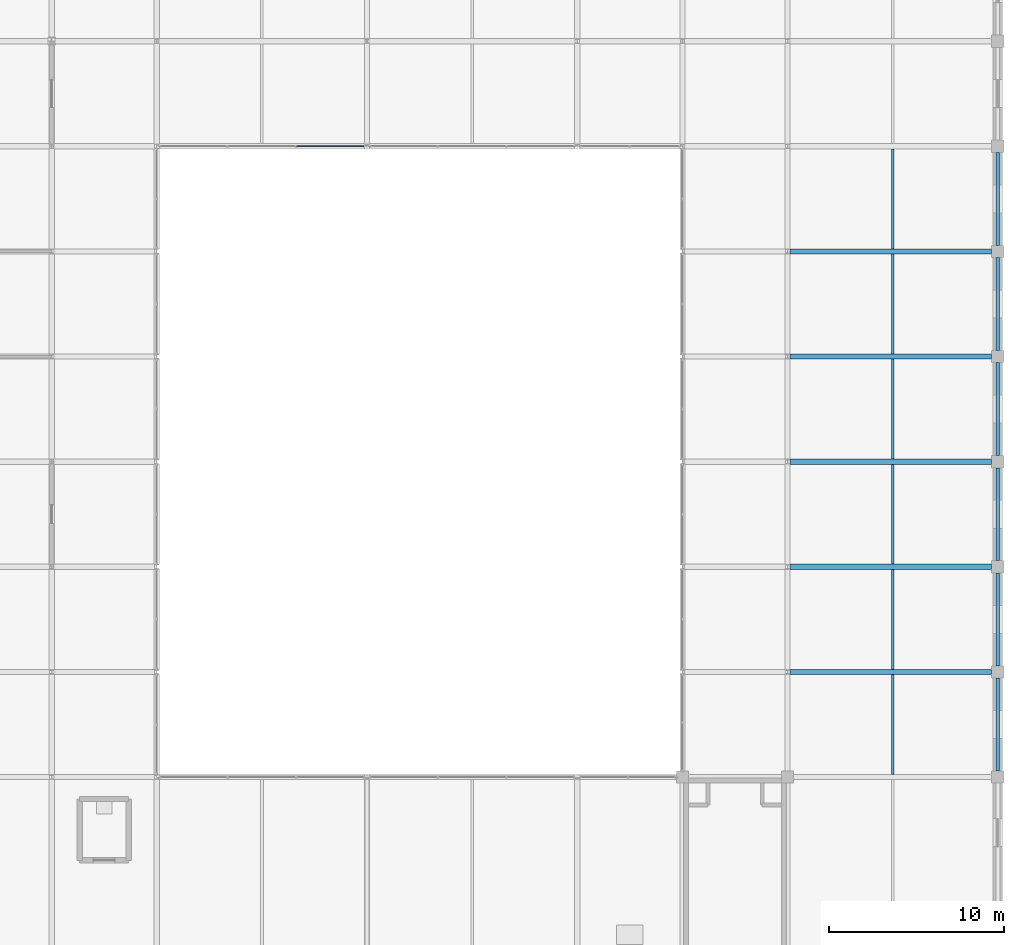
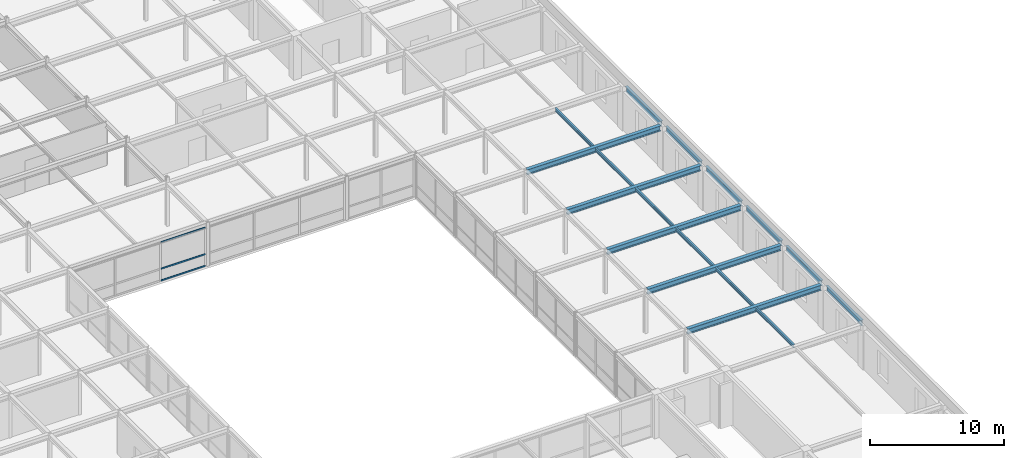
# One storey, part 91 of 111: 17 beams, 3 members, 1 element without a shape of its own.
"""IFC4 building model written with IfcOpenShell, lengths in metres."""

from ifc_helpers import new_model, si_unit, direction, frame, origin, origin_2d, place, context, subcontext, project, spatial, hollow_rectangle, i_section, extrude, material, layer, layer_set, material_profile, profile_set, type_object, element, aggregate, save


model = new_model("IFC4")

# Units and contexts
model_context = context("Model", 3, precision=1e-05, world=origin(), true_north=direction((0.0, 1.0)))
body_context = subcontext(model_context, "Body", "Model", "MODEL_VIEW")
ifc_project = project(units=[si_unit("LENGTHUNIT", "METRE"), si_unit("AREAUNIT", "SQUARE_METRE"), si_unit("VOLUMEUNIT", "CUBIC_METRE"), si_unit("PLANEANGLEUNIT", "RADIAN"), si_unit("MASSUNIT", "GRAM", prefix="KILO")], contexts=[model_context])

# Site, building, storey
site_placement = place(None, origin())
site = spatial("IfcSite", under=ifc_project, at=site_placement, CompositionType="ELEMENT")
building_placement = place(site_placement, origin())
building = spatial("IfcBuilding", under=site, at=building_placement, Name="Zlatovratsky Civic Hall", CompositionType="ELEMENT")
storey_placement = place(building_placement, frame((0.0, 0.0, 16.5)))
storey = spatial("IfcBuildingStorey", under=building, at=storey_placement, Name="L04", CompositionType="ELEMENT", Elevation=16.5)

# Beams
ifc_material_1 = material(Name="Steel S355", Category="steel")
ifc_material_profile_1 = material_profile(ifc_material_1, i_section(OverallWidth=0.300048828125, OverallDepth=0.487060546875, WebThickness=0.014404296875, FlangeThickness=0.017578125, FilletRadius=0.02392578125, at=origin_2d()), Name="50Sh2")
ifc_profile_set_1 = profile_set([ifc_material_profile_1], Name="Steel S355")
beam_type_1 = type_object("IfcBeamType", Name="Beam_ArchiveGirder_50Sh2", PredefinedType="BEAM", material=ifc_profile_set_1)
for number, where, z_axis, x_axis, name in (
    (1, (156.125, 36.0, 3.756591796875), (1.0, 0.0, 0.0), (0.0, 1.0, 0.0), "BM-3289"),
    (2, (156.125, 42.0, 3.756591796875), (1.0, 0.0, 0.0), (0.0, 1.0, 0.0), "BM-3299"),
    (3, (156.125, 48.0, 3.756591796875), (1.0, 0.0, 0.0), (0.0, 1.0, 0.0), "BM-3309"),
    (4, (156.125, 54.0, 3.756591796875), (1.0, 0.0, 0.0), (0.0, 1.0, 0.0), "BM-3319"),
    (5, (156.125, 60.0, 3.756591796875), (1.0, 0.0, 0.0), (0.0, 1.0, 0.0), "BM-3329"),
):
    element("IfcBeam", number, at=place(storey_placement, frame(where, z_axis=z_axis, x_axis=x_axis)), inside=storey, type_object=beam_type_1, Name=name, PredefinedType="BEAM", context=body_context, shape_type="SweptSolid", body=[
        extrude(i_section(OverallWidth=0.300048828125, OverallDepth=0.487060546875, WebThickness=0.014404296875, FlangeThickness=0.017578125, FilletRadius=0.02392578125, at=origin_2d()), origin(), (0.0, 0.0, 1.0), 11.52490234375),
    ])
ifc_material_profile_2 = material_profile(ifc_material_1, i_section(OverallWidth=0.198974609375, OverallDepth=0.491943359375, WebThickness=0.0087890625, FlangeThickness=0.011962890625, FilletRadius=0.01611328125, at=origin_2d()), Name="50B1")
ifc_profile_set_2 = profile_set([ifc_material_profile_2], Name="Steel S355")
beam_type_2 = type_object("IfcBeamType", Name="Beam_Spandrel_50B1", PredefinedType="SPANDREL", material=ifc_profile_set_2)
for number, where, z_axis, x_axis, name in (
    (6, (168.0, 30.35009765625, 3.75390625), (0.0, 1.0, 0.0), (-1.0, 0.0, 0.0), "BM-3815"),
    (7, (168.0, 36.35009765625, 3.75390625), (0.0, 1.0, 0.0), (-1.0, 0.0, 0.0), "BM-3816"),
    (8, (168.0, 42.35009765625, 3.75390625), (0.0, 1.0, 0.0), (-1.0, 0.0, 0.0), "BM-3817"),
    (9, (168.0, 48.35009765625, 3.75390625), (0.0, 1.0, 0.0), (-1.0, 0.0, 0.0), "BM-3818"),
    (10, (168.0, 54.35009765625, 3.75390625), (0.0, 1.0, 0.0), (-1.0, 0.0, 0.0), "BM-3819"),
    (11, (168.0, 60.35009765625, 3.75390625), (0.0, 1.0, 0.0), (-1.0, 0.0, 0.0), "BM-3820"),
):
    element("IfcBeam", number, at=place(storey_placement, frame(where, z_axis=z_axis, x_axis=x_axis)), inside=storey, type_object=beam_type_2, Name=name, PredefinedType="SPANDREL", context=body_context, shape_type="SweptSolid", body=[
        extrude(i_section(OverallWidth=0.198974609375, OverallDepth=0.491943359375, WebThickness=0.0087890625, FlangeThickness=0.011962890625, FilletRadius=0.01611328125, at=origin_2d()), origin(), (0.0, 0.0, 1.0), 5.2998046875),
    ])

# Curtain wall, members
ifc_material_2 = material(Name="Anodised bronze aluminium", Category="aluminium")
ifc_layer = layer(ifc_material_2, 0.159912109375)
ifc_layer_set = layer_set([ifc_layer], Name="Anodised bronze aluminium")
curtain_wall_type = type_object("IfcCurtainWallType", Name="CurtainWall_Bronze_11750x3550_17", PredefinedType="NOTDEFINED", material=ifc_layer_set)
curtain_wall_placement = place(storey_placement, origin())
curtain_wall = element("IfcCurtainWall", 12, at=curtain_wall_placement, inside=storey, type_object=curtain_wall_type, Name="CW-114", PredefinedType="NOTDEFINED")
ifc_material_profile_3 = material_profile(ifc_material_2, hollow_rectangle(XDim=0.06005859375, YDim=0.139892578125, WallThickness=0.00390625, at=origin_2d()), Name="ALU 60x140x4")
ifc_profile_set_3 = profile_set([ifc_material_profile_3], Name="Anodised bronze aluminium")
member_type = type_object("IfcMemberType", Name="CW_Transom_60x140", PredefinedType="USERDEFINED", material=ifc_profile_set_3)
member_1_placement = place(storey_placement, frame((127.98828125, 66.0, 0.030029296875), z_axis=(1.0, 0.0, 0.0), x_axis=(0.0, 1.0, 0.0)))
member_1 = element("IfcMember", 13, at=member_1_placement, type_object=member_type, Name="CW-17 transom 3.1", ObjectType="TRANSOM", PredefinedType="USERDEFINED", context=body_context, shape_type="SweptSolid", body=[
    extrude(hollow_rectangle(XDim=0.06005859375, YDim=0.139892578125, WallThickness=0.00390625, at=origin_2d()), origin(), (0.0, 0.0, 1.0), 3.82666015625),
])
member_2_placement = place(storey_placement, frame((127.98828125, 66.0, 1.10009765625), z_axis=(1.0, 0.0, 0.0), x_axis=(0.0, 1.0, 0.0)))
member_2 = element("IfcMember", 14, at=member_2_placement, type_object=member_type, Name="CW-17 transom 3.2", ObjectType="TRANSOM", PredefinedType="USERDEFINED", context=body_context, shape_type="SweptSolid", body=[
    extrude(hollow_rectangle(XDim=0.06005859375, YDim=0.139892578125, WallThickness=0.00390625, at=origin_2d()), origin(), (0.0, 0.0, 1.0), 3.82666015625),
])
member_3_placement = place(storey_placement, frame((127.98828125, 66.0, 3.52001953125), z_axis=(1.0, 0.0, 0.0), x_axis=(0.0, 1.0, 0.0)))
member_3 = element("IfcMember", 15, at=member_3_placement, type_object=member_type, Name="CW-17 transom 3.3", ObjectType="TRANSOM", PredefinedType="USERDEFINED", context=body_context, shape_type="SweptSolid", body=[
    extrude(hollow_rectangle(XDim=0.06005859375, YDim=0.139892578125, WallThickness=0.00390625, at=origin_2d()), origin(), (0.0, 0.0, 1.0), 3.82666015625),
])
aggregate(curtain_wall, [member_1, member_2, member_3])

# Beams
ifc_material_profile_4 = material_profile(ifc_material_1, i_section(OverallWidth=0.14892578125, OverallDepth=0.2958984375, WebThickness=0.005615234375, FlangeThickness=0.008056640625, FilletRadius=0.012939453125, at=origin_2d()), Name="30B1")
ifc_profile_set_4 = profile_set([ifc_material_profile_4], Name="Steel S355")
beam_type_3 = type_object("IfcBeamType", Name="Joist_Tower_30B1", PredefinedType="JOIST", material=ifc_profile_set_4)
for number, where, z_axis, x_axis, name in (
    (16, (162.0, 30.14990234375, 3.85205078125), (0.0, 1.0, 0.0), (-1.0, 0.0, 0.0), "BM-3848"),
    (17, (162.0, 36.14990234375, 3.85205078125), (0.0, 1.0, 0.0), (-1.0, 0.0, 0.0), "BM-3850"),
    (18, (162.0, 42.14990234375, 3.85205078125), (0.0, 1.0, 0.0), (-1.0, 0.0, 0.0), "BM-3852"),
    (19, (162.0, 48.14990234375, 3.85205078125), (0.0, 1.0, 0.0), (-1.0, 0.0, 0.0), "BM-3854"),
    (20, (162.0, 54.14990234375, 3.85205078125), (0.0, 1.0, 0.0), (-1.0, 0.0, 0.0), "BM-3856"),
    (21, (162.0, 60.14990234375, 3.85205078125), (0.0, 1.0, 0.0), (-1.0, 0.0, 0.0), "BM-3858"),
):
    element("IfcBeam", number, at=place(storey_placement, frame(where, z_axis=z_axis, x_axis=x_axis)), inside=storey, type_object=beam_type_3, Name=name, PredefinedType="JOIST", context=body_context, shape_type="SweptSolid", body=[
        extrude(i_section(OverallWidth=0.14892578125, OverallDepth=0.2958984375, WebThickness=0.005615234375, FlangeThickness=0.008056640625, FilletRadius=0.012939453125, at=origin_2d()), origin(), (0.0, 0.0, 1.0), 5.7001953125),
    ])

save(model, "model.ifc")
